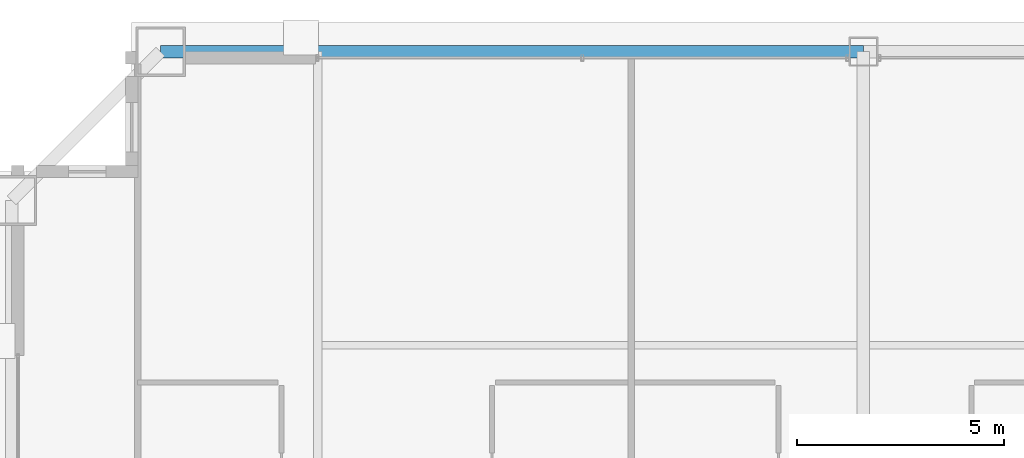
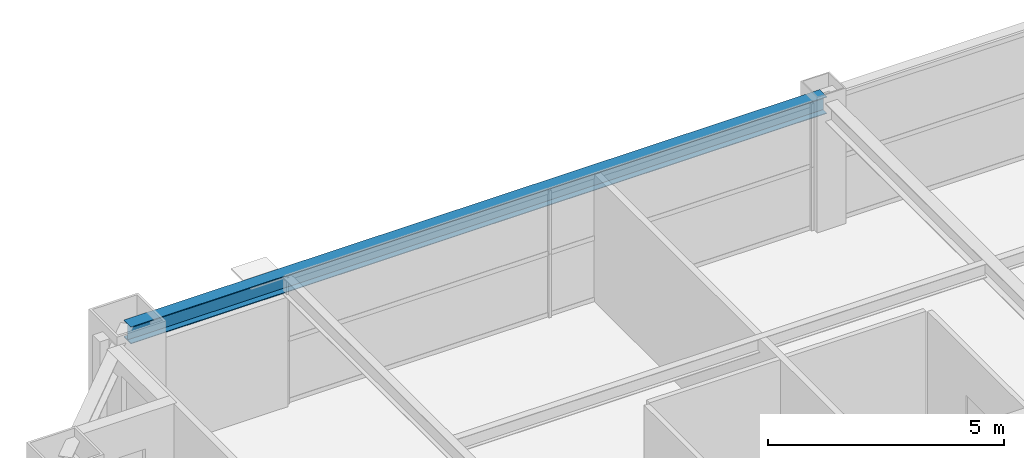
# One storey, part 25 of 36: 1 beam.
"""IFC4 building model written with IfcOpenShell, lengths in metres."""

from ifc_helpers import new_model, si_unit, direction, frame, origin, origin_2d, place, context, subcontext, project, spatial, i_section, extrude, source, transform, mapped, material, material_profile, profile_set, type_object, element, save


model = new_model("IFC4")

# Units and contexts
model_context = context("Model", 3, precision=1e-05, world=origin(), true_north=direction((0.0, 1.0)))
body_context = subcontext(model_context, "Body", "Model", "MODEL_VIEW")
ifc_project = project(units=[si_unit("LENGTHUNIT", "METRE"), si_unit("AREAUNIT", "SQUARE_METRE"), si_unit("VOLUMEUNIT", "CUBIC_METRE"), si_unit("PLANEANGLEUNIT", "RADIAN"), si_unit("MASSUNIT", "GRAM", prefix="KILO"), si_unit("THERMODYNAMICTEMPERATUREUNIT", "KELVIN"), si_unit("POWERUNIT", "WATT")], contexts=[model_context])

# Site, building, storey
site_placement = place(None, origin())
site = spatial("IfcSite", under=ifc_project, at=site_placement, CompositionType="ELEMENT")
building_placement = place(site_placement, origin())
building = spatial("IfcBuilding", under=site, at=building_placement, Name="Yuzanri Waterfront Tower", CompositionType="ELEMENT")
storey_placement = place(building_placement, frame((0.0, 0.0, 238.10009765625)))
storey = spatial("IfcBuildingStorey", under=building, at=storey_placement, Name="L63", CompositionType="ELEMENT", Elevation=238.10009765625)

# Beam
ifc_material = material(Name="Steel Q355B", Category="steel")
ifc_material_profile = material_profile(ifc_material, i_section(OverallWidth=0.300048828125, OverallDepth=0.43994140625, WebThickness=0.010986328125, FlangeThickness=0.01806640625, at=origin_2d()), Name="HM 440x300x11x18")
ifc_profile_set = profile_set([ifc_material_profile], Name="Steel Q355B")
beam_type = type_object("IfcBeamType", Name="Perimeter Spandrel Q355B HM 440x300", PredefinedType="SPANDREL", material=ifc_profile_set)
shared_shape = source(origin(), body_context, "Body", "SweptSolid", [
    extrude(i_section(OverallWidth=0.300048828125, OverallDepth=0.43994140625, WebThickness=0.010986328125, FlangeThickness=0.01806640625, at=origin_2d()), origin(), (0.0, 0.0, 1.0), 17.0),
])
beam_placement = place(storey_placement, frame((37.0, 46.39990234375, 3.059814453125), z_axis=(-1.0, 0.0, 0.0), x_axis=(0.0, -1.0, 0.0)))
element("IfcBeam", 1, at=beam_placement, inside=storey, type_object=beam_type, Name="L63 Perimeter Spandrel N2-N1", PredefinedType="SPANDREL", context=body_context, shape_type="MappedRepresentation", body=[
    mapped(shared_shape, transform((0.0, 0.0, 0.0), scale=1.0)),
])

save(model, "model.ifc")
